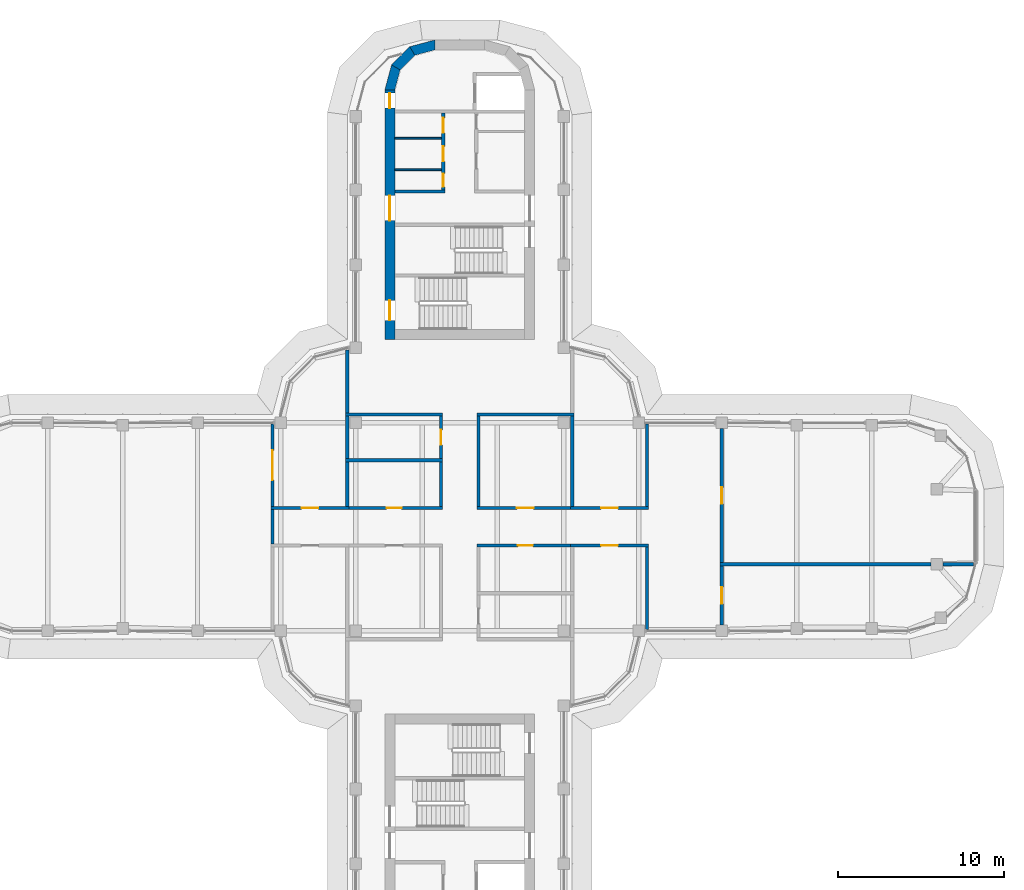
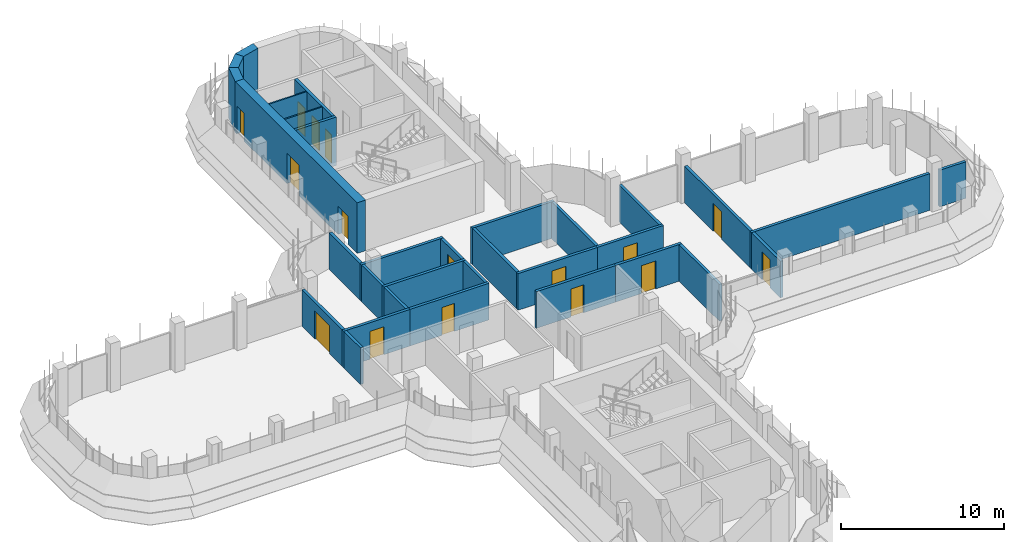
# One storey, part 14 of 19: 32 walls, 16 doors, 16 openings.
"""IFC4 building model written with IfcOpenShell, lengths in metres."""

from ifc_helpers import new_model, si_unit, direction, frame, frame_2d, origin, place, context, subcontext, project, spatial, polyline, rectangle, outline, extrude, material, layer, layer_set, type_object, element, fill, save


model = new_model("IFC4")

# Units and contexts
model_context = context("Model", 3, precision=1e-05, world=origin(), true_north=direction((0.0, 1.0)))
body_context = subcontext(model_context, "Body", "Model", "MODEL_VIEW")
ifc_project = project(units=[si_unit("LENGTHUNIT", "METRE"), si_unit("AREAUNIT", "SQUARE_METRE"), si_unit("VOLUMEUNIT", "CUBIC_METRE"), si_unit("PLANEANGLEUNIT", "RADIAN"), si_unit("MASSUNIT", "GRAM", prefix="KILO")], contexts=[model_context])

# Site, building, storey
site_placement = place(None, origin())
site = spatial("IfcSite", under=ifc_project, at=site_placement, CompositionType="ELEMENT")
building_placement = place(site_placement, origin())
building = spatial("IfcBuilding", under=site, at=building_placement, Name="Zarbagh Exchange Tower", CompositionType="ELEMENT")
storey_placement = place(building_placement, frame((0.0, 0.0, 225.800048828125)))
storey = spatial("IfcBuildingStorey", under=building, at=storey_placement, Name="L55", CompositionType="ELEMENT", Elevation=225.800048828125)

# Walls
ifc_material_1 = material(Name="Dense blockwork", Category="masonry")
ifc_layer_1 = layer(ifc_material_1, 0.10009765625)
ifc_layer_set_1 = layer_set([ifc_layer_1], Name="Core partition 100 mm blockwork")
wall_type_1 = type_object("IfcWallType", Name="Core partition 100 mm blockwork", PredefinedType="PARTITIONING", material=ifc_layer_set_1)
for number, where, z_axis, x_axis, name in (
    (1, (-3.89990234375, 23.35009765625, 0.0), (0.0, 0.0, 1.0), (1.0, 0.0, 0.0), "North core partition wall CUT-W-500"),
    (2, (-3.89990234375, 21.449951171875, 0.0), (0.0, 0.0, 1.0), (1.0, 0.0, 0.0), "North core partition wall CUT-W-690"),
):
    element("IfcWall", number, at=place(storey_placement, frame(where, z_axis=z_axis, x_axis=x_axis)), inside=storey, type_object=wall_type_1, Name=name, PredefinedType="PARTITIONING", context=body_context, shape_type="SweptSolid", body=[
        extrude(rectangle(XDim=2.7998046875, YDim=0.10009765625, at=frame_2d((1.39990234375, 0.0))), origin(), (0.0, 0.0, 1.0), 3.64990234375),
    ])

# Wall, opening, door
ifc_material_2 = material(Name="Fire-rated plasterboard partition")
ifc_layer_2 = layer(ifc_material_2, 0.199951171875)
ifc_layer_set_2 = layer_set([ifc_layer_2], Name="RATED PARTITION 200")
wall_type_2 = type_object("IfcWallType", Name="RATED PARTITION 200", PredefinedType="PARTITIONING", material=ifc_layer_set_2)
wall_1_placement = place(storey_placement, frame((1.02490234375, 1.125, 0.0), z_axis=(0.0, 0.0, 1.0), x_axis=(1.0, 0.0, 0.0)))
wall_1 = element("IfcWall", 3, at=wall_1_placement, inside=storey, type_object=wall_type_2, Name="Partition W-2401", PredefinedType="PARTITIONING", context=body_context, shape_type="SweptSolid", body=[
    extrude(rectangle(XDim=5.8251953125, YDim=0.199951171875, at=frame_2d((2.91259765625, 0.0))), origin(), (0.0, 0.0, 1.0), 2.75),
])
opening_1_placement = place(wall_1_placement, frame((2.41259765625, 0.0, 0.0)))
opening_1 = element("IfcOpeningElement", 4, at=opening_1_placement, cuts=wall_1, Name="Opening D-2403", PredefinedType="OPENING", context=body_context, shape_type="SweptSolid", body=[
    extrude(rectangle(XDim=1.0, YDim=2.10009765625, at=frame_2d((0.5, 1.050048828125))), frame((0.0, 0.10986328125, 0.0), z_axis=(0.0, -1.0, 0.0), x_axis=(1.0, 0.0, 0.0)), (0.0, 0.0, 1.0), 0.219970703125),
])
ifc_material_3 = material(Name="Steel door set", Category="steel")
door_type_1 = type_object("IfcDoorType", Name="FIRE DOOR 1000 X 2100 FD30S", OperationType="NOTDEFINED", PredefinedType="DOOR", material=ifc_material_3)
door_1_placement = place(opening_1_placement, origin())
door_1 = element("IfcDoor", 5, at=door_1_placement, inside=storey, type_object=door_type_1, Name="Door D-2403", OperationType="SINGLE_SWING_RIGHT", OverallHeight=2.10009765625, OverallWidth=1.0, PredefinedType="DOOR", context=body_context, shape_type="SweptSolid", body=[
    extrude(rectangle(XDim=1.0, YDim=2.10009765625, at=frame_2d((0.5, 1.050048828125))), frame((0.0, 0.02490234375, 0.0), z_axis=(0.0, -1.0, 0.0), x_axis=(1.0, 0.0, 0.0)), (0.0, 0.0, 1.0), 0.050048828125),
])
fill(opening_1, door_1)

wall_2_placement = place(storey_placement, frame((6.64990234375, 1.125, 0.0), z_axis=(0.0, 0.0, 1.0), x_axis=(1.0, 0.0, 0.0)))
wall_2 = element("IfcWall", 6, at=wall_2_placement, inside=storey, type_object=wall_type_2, Name="Partition W-2402", PredefinedType="PARTITIONING", context=body_context, shape_type="SweptSolid", body=[
    extrude(rectangle(XDim=4.7001953125, YDim=0.199951171875, at=frame_2d((2.35009765625, 0.0))), origin(), (0.0, 0.0, 1.0), 2.75),
])
opening_2_placement = place(wall_2_placement, frame((1.85009765625, 0.0, 0.0)))
opening_2 = element("IfcOpeningElement", 7, at=opening_2_placement, cuts=wall_2, Name="Opening D-2404", PredefinedType="OPENING", context=body_context, shape_type="SweptSolid", body=[
    extrude(rectangle(XDim=1.0, YDim=2.10009765625, at=frame_2d((0.5, 1.050048828125))), frame((0.0, 0.10986328125, 0.0), z_axis=(0.0, -1.0, 0.0), x_axis=(1.0, 0.0, 0.0)), (0.0, 0.0, 1.0), 0.219970703125),
])
door_2_placement = place(opening_2_placement, origin())
door_2 = element("IfcDoor", 8, at=door_2_placement, inside=storey, type_object=door_type_1, Name="Door D-2404", OperationType="SINGLE_SWING_RIGHT", OverallHeight=2.10009765625, OverallWidth=1.0, PredefinedType="DOOR", context=body_context, shape_type="SweptSolid", body=[
    extrude(rectangle(XDim=1.0, YDim=2.10009765625, at=frame_2d((0.5, 1.050048828125))), frame((0.0, 0.02490234375, 0.0), z_axis=(0.0, -1.0, 0.0), x_axis=(1.0, 0.0, 0.0)), (0.0, 0.0, 1.0), 0.050048828125),
])
fill(opening_2, door_2)

wall_3_placement = place(storey_placement, frame((-6.85009765625, 1.125, 0.0), z_axis=(0.0, 0.0, 1.0), x_axis=(1.0, 0.0, 0.0)))
wall_3 = element("IfcWall", 9, at=wall_3_placement, inside=storey, type_object=wall_type_2, Name="Partition W-2403", PredefinedType="PARTITIONING", context=body_context, shape_type="SweptSolid", body=[
    extrude(rectangle(XDim=5.8251953125, YDim=0.199951171875, at=frame_2d((2.91259765625, 0.0))), origin(), (0.0, 0.0, 1.0), 2.75),
])
opening_3_placement = place(wall_3_placement, frame((2.46240234375, 0.0, 0.0)))
opening_3 = element("IfcOpeningElement", 10, at=opening_3_placement, cuts=wall_3, Name="Opening D-2405", PredefinedType="OPENING", context=body_context, shape_type="SweptSolid", body=[
    extrude(rectangle(XDim=0.89990234375, YDim=2.10009765625, at=frame_2d((0.449951171875, 1.050048828125))), frame((0.0, 0.10986328125, 0.0), z_axis=(0.0, -1.0, 0.0), x_axis=(1.0, 0.0, 0.0)), (0.0, 0.0, 1.0), 0.219970703125),
])
ifc_material_4 = material(Name="Timber door leaf", Category="wood")
door_type_2 = type_object("IfcDoorType", Name="DOOR 900 X 2100", OperationType="NOTDEFINED", PredefinedType="DOOR", material=ifc_material_4)
door_3_placement = place(opening_3_placement, origin())
door_3 = element("IfcDoor", 11, at=door_3_placement, inside=storey, type_object=door_type_2, Name="Door D-2405", OperationType="SINGLE_SWING_RIGHT", OverallHeight=2.10009765625, OverallWidth=0.89990234375, PredefinedType="DOOR", context=body_context, shape_type="SweptSolid", body=[
    extrude(rectangle(XDim=0.89990234375, YDim=2.10009765625, at=frame_2d((0.449951171875, 1.050048828125))), frame((0.0, 0.02490234375, 0.0), z_axis=(0.0, -1.0, 0.0), x_axis=(1.0, 0.0, 0.0)), (0.0, 0.0, 1.0), 0.050048828125),
])
fill(opening_3, door_3)

wall_4_placement = place(storey_placement, frame((-11.35009765625, 1.125, 0.0), z_axis=(0.0, 0.0, 1.0), x_axis=(1.0, 0.0, 0.0)))
wall_4 = element("IfcWall", 12, at=wall_4_placement, inside=storey, type_object=wall_type_2, Name="Partition W-2404", PredefinedType="PARTITIONING", context=body_context, shape_type="SweptSolid", body=[
    extrude(rectangle(XDim=4.7001953125, YDim=0.199951171875, at=frame_2d((2.35009765625, 0.0))), origin(), (0.0, 0.0, 1.0), 2.75),
])
opening_4_placement = place(wall_4_placement, frame((1.85009765625, 0.0, 0.0)))
opening_4 = element("IfcOpeningElement", 13, at=opening_4_placement, cuts=wall_4, Name="Opening D-2407", PredefinedType="OPENING", context=body_context, shape_type="SweptSolid", body=[
    extrude(rectangle(XDim=1.0, YDim=2.10009765625, at=frame_2d((0.5, 1.050048828125))), frame((0.0, 0.10986328125, 0.0), z_axis=(0.0, -1.0, 0.0), x_axis=(1.0, 0.0, 0.0)), (0.0, 0.0, 1.0), 0.219970703125),
])
door_4_placement = place(opening_4_placement, origin())
door_4 = element("IfcDoor", 14, at=door_4_placement, inside=storey, type_object=door_type_1, Name="Door D-2407", OperationType="SINGLE_SWING_RIGHT", OverallHeight=2.10009765625, OverallWidth=1.0, PredefinedType="DOOR", context=body_context, shape_type="SweptSolid", body=[
    extrude(rectangle(XDim=1.0, YDim=2.10009765625, at=frame_2d((0.5, 1.050048828125))), frame((0.0, 0.02490234375, 0.0), z_axis=(0.0, -1.0, 0.0), x_axis=(1.0, 0.0, 0.0)), (0.0, 0.0, 1.0), 0.050048828125),
])
fill(opening_4, door_4)

wall_5_placement = place(storey_placement, frame((6.85009765625, -1.125, 0.0), z_axis=(0.0, 0.0, 1.0), x_axis=(-1.0, 0.0, 0.0)))
wall_5 = element("IfcWall", 15, at=wall_5_placement, inside=storey, type_object=wall_type_2, Name="Partition W-2405", PredefinedType="PARTITIONING", context=body_context, shape_type="SweptSolid", body=[
    extrude(rectangle(XDim=5.8251953125, YDim=0.199951171875, at=frame_2d((2.91259765625, 0.0))), origin(), (0.0, 0.0, 1.0), 2.75),
])
opening_5_placement = place(wall_5_placement, frame((2.46240234375, 0.0, 0.0)))
opening_5 = element("IfcOpeningElement", 16, at=opening_5_placement, cuts=wall_5, Name="Opening D-2408", PredefinedType="OPENING", context=body_context, shape_type="SweptSolid", body=[
    extrude(rectangle(XDim=0.89990234375, YDim=2.10009765625, at=frame_2d((0.449951171875, 1.050048828125))), frame((0.0, 0.10986328125, 0.0), z_axis=(0.0, -1.0, 0.0), x_axis=(1.0, 0.0, 0.0)), (0.0, 0.0, 1.0), 0.219970703125),
])
door_5_placement = place(opening_5_placement, origin())
door_5 = element("IfcDoor", 17, at=door_5_placement, inside=storey, type_object=door_type_2, Name="Door D-2408", OperationType="SINGLE_SWING_RIGHT", OverallHeight=2.10009765625, OverallWidth=0.89990234375, PredefinedType="DOOR", context=body_context, shape_type="SweptSolid", body=[
    extrude(rectangle(XDim=0.89990234375, YDim=2.10009765625, at=frame_2d((0.449951171875, 1.050048828125))), frame((0.0, 0.02490234375, 0.0), z_axis=(0.0, -1.0, 0.0), x_axis=(1.0, 0.0, 0.0)), (0.0, 0.0, 1.0), 0.050048828125),
])
fill(opening_5, door_5)

wall_6_placement = place(storey_placement, frame((11.35009765625, -1.125, 0.0), z_axis=(0.0, 0.0, 1.0), x_axis=(-1.0, 0.0, 0.0)))
wall_6 = element("IfcWall", 18, at=wall_6_placement, inside=storey, type_object=wall_type_2, Name="Partition W-2406", PredefinedType="PARTITIONING", context=body_context, shape_type="SweptSolid", body=[
    extrude(rectangle(XDim=4.7001953125, YDim=0.199951171875, at=frame_2d((2.35009765625, 0.0))), origin(), (0.0, 0.0, 1.0), 2.75),
])
opening_6_placement = place(wall_6_placement, frame((1.85009765625, 0.0, 0.0)))
opening_6 = element("IfcOpeningElement", 19, at=opening_6_placement, cuts=wall_6, Name="Opening D-2410", PredefinedType="OPENING", context=body_context, shape_type="SweptSolid", body=[
    extrude(rectangle(XDim=1.0, YDim=2.10009765625, at=frame_2d((0.5, 1.050048828125))), frame((0.0, 0.10986328125, 0.0), z_axis=(0.0, -1.0, 0.0), x_axis=(1.0, 0.0, 0.0)), (0.0, 0.0, 1.0), 0.219970703125),
])
door_6_placement = place(opening_6_placement, origin())
door_6 = element("IfcDoor", 20, at=door_6_placement, inside=storey, type_object=door_type_1, Name="Door D-2410", OperationType="SINGLE_SWING_RIGHT", OverallHeight=2.10009765625, OverallWidth=1.0, PredefinedType="DOOR", context=body_context, shape_type="SweptSolid", body=[
    extrude(rectangle(XDim=1.0, YDim=2.10009765625, at=frame_2d((0.5, 1.050048828125))), frame((0.0, 0.02490234375, 0.0), z_axis=(0.0, -1.0, 0.0), x_axis=(1.0, 0.0, 0.0)), (0.0, 0.0, 1.0), 0.050048828125),
])
fill(opening_6, door_6)

# Walls
wall_7_placement = place(storey_placement, frame((-11.25, -1.02490234375, 0.0), z_axis=(0.0, 0.0, 1.0), x_axis=(0.0, 1.0, 0.0)))
element("IfcWall", 21, at=wall_7_placement, inside=storey, type_object=wall_type_2, Name="Partition W-2409", PredefinedType="PARTITIONING", context=body_context, shape_type="SweptSolid", body=[
    extrude(rectangle(XDim=2.0498046875, YDim=0.199951171875, at=frame_2d((1.02490234375, 0.0))), origin(), (0.0, 0.0, 1.0), 2.75),
])
wall_8_placement = place(storey_placement, frame((1.125, 1.22509765625, 0.0), z_axis=(0.0, 0.0, 1.0), x_axis=(0.0, 1.0, 0.0)))
element("IfcWall", 22, at=wall_8_placement, inside=storey, type_object=wall_type_2, Name="Partition W-2410", PredefinedType="PARTITIONING", context=body_context, shape_type="SweptSolid", body=[
    extrude(rectangle(XDim=5.4248046875, YDim=0.199951171875, at=frame_2d((2.71240234375, 0.0))), origin(), (0.0, 0.0, 1.0), 2.75),
])
wall_9_placement = place(storey_placement, frame((-1.125, 1.22509765625, 0.0), z_axis=(0.0, 0.0, 1.0), x_axis=(0.0, 1.0, 0.0)))
element("IfcWall", 23, at=wall_9_placement, inside=storey, type_object=wall_type_2, Name="Partition W-2411", PredefinedType="PARTITIONING", context=body_context, shape_type="SweptSolid", body=[
    extrude(rectangle(XDim=2.6748046875, YDim=0.199951171875, at=frame_2d((1.33740234375, 0.0))), origin(), (0.0, 0.0, 1.0), 2.75),
])

# Wall, opening, door
wall_10_placement = place(storey_placement, frame((-1.125, 4.10009765625, 0.0), z_axis=(0.0, 0.0, 1.0), x_axis=(0.0, 1.0, 0.0)))
wall_10 = element("IfcWall", 24, at=wall_10_placement, inside=storey, type_object=wall_type_2, Name="Partition W-2412", PredefinedType="PARTITIONING", context=body_context, shape_type="SweptSolid", body=[
    extrude(rectangle(XDim=2.5498046875, YDim=0.199951171875, at=frame_2d((1.27490234375, 0.0))), origin(), (0.0, 0.0, 1.0), 2.75),
])
opening_7_placement = place(wall_10_placement, frame((0.824951171875, 0.0, 0.0)))
opening_7 = element("IfcOpeningElement", 25, at=opening_7_placement, cuts=wall_10, Name="Opening D-2406", PredefinedType="OPENING", context=body_context, shape_type="SweptSolid", body=[
    extrude(rectangle(XDim=0.89990234375, YDim=2.10009765625, at=frame_2d((0.449951171875, 1.050048828125))), frame((0.0, 0.10986328125, 0.0), z_axis=(0.0, -1.0, 0.0), x_axis=(1.0, 0.0, 0.0)), (0.0, 0.0, 1.0), 0.219970703125),
])
door_7_placement = place(opening_7_placement, origin())
door_7 = element("IfcDoor", 26, at=door_7_placement, inside=storey, type_object=door_type_2, Name="Door D-2406", OperationType="SINGLE_SWING_RIGHT", OverallHeight=2.10009765625, OverallWidth=0.89990234375, PredefinedType="DOOR", context=body_context, shape_type="SweptSolid", body=[
    extrude(rectangle(XDim=0.89990234375, YDim=2.10009765625, at=frame_2d((0.449951171875, 1.050048828125))), frame((0.0, 0.02490234375, 0.0), z_axis=(0.0, -1.0, 0.0), x_axis=(1.0, 0.0, 0.0)), (0.0, 0.0, 1.0), 0.050048828125),
])
fill(opening_7, door_7)

# Walls
for number, where, z_axis, x_axis, name in (
    (27, (1.02490234375, 6.75, 0.0), (0.0, 0.0, 1.0), (1.0, 0.0, 0.0), "Partition W-2416"),
    (28, (-6.85009765625, 6.75, 0.0), (0.0, 0.0, 1.0), (1.0, 0.0, 0.0), "Partition W-2418"),
):
    element("IfcWall", number, at=place(storey_placement, frame(where, z_axis=z_axis, x_axis=x_axis)), inside=storey, type_object=wall_type_2, Name=name, PredefinedType="PARTITIONING", context=body_context, shape_type="SweptSolid", body=[
        extrude(rectangle(XDim=5.8251953125, YDim=0.199951171875, at=frame_2d((2.91259765625, 0.0))), origin(), (0.0, 0.0, 1.0), 2.75),
    ])
wall_11_placement = place(storey_placement, frame((-6.75, 6.85009765625, 0.0), z_axis=(0.0, 0.0, 1.0), x_axis=(0.0, 1.0, 0.0)))
element("IfcWall", 29, at=wall_11_placement, inside=storey, type_object=wall_type_2, Name="Partition W-2419", PredefinedType="PARTITIONING", context=body_context, shape_type="SweptSolid", body=[
    extrude(rectangle(XDim=3.77978515625, YDim=0.199951171875, at=frame_2d((1.889892578125, 0.0))), origin(), (0.0, 0.0, 1.0), 2.75),
])
wall_12_placement = place(storey_placement, frame((6.75, 1.22509765625, 0.0), z_axis=(0.0, 0.0, 1.0), x_axis=(0.0, 1.0, 0.0)))
element("IfcWall", 30, at=wall_12_placement, inside=storey, type_object=wall_type_2, Name="Partition W-2424", PredefinedType="PARTITIONING", context=body_context, shape_type="SweptSolid", body=[
    extrude(rectangle(XDim=5.4248046875, YDim=0.199951171875, at=frame_2d((2.71240234375, 0.0))), origin(), (0.0, 0.0, 1.0), 2.75),
])
wall_13_placement = place(storey_placement, frame((11.25, 1.22509765625, 0.0), z_axis=(0.0, 0.0, 1.0), x_axis=(0.0, 1.0, 0.0)))
element("IfcWall", 31, at=wall_13_placement, inside=storey, type_object=wall_type_2, Name="Partition W-2425", PredefinedType="PARTITIONING", context=body_context, shape_type="SweptSolid", body=[
    extrude(rectangle(XDim=4.94482421875, YDim=0.199951171875, at=frame_2d((2.472412109375, 0.0))), origin(), (0.0, 0.0, 1.0), 2.75),
])
wall_14_placement = place(storey_placement, frame((-6.85009765625, 4.0, 0.0), z_axis=(0.0, 0.0, 1.0), x_axis=(1.0, 0.0, 0.0)))
element("IfcWall", 32, at=wall_14_placement, inside=storey, type_object=wall_type_2, Name="Partition W-2426", PredefinedType="PARTITIONING", context=body_context, shape_type="SweptSolid", body=[
    extrude(rectangle(XDim=5.8251953125, YDim=0.199951171875, at=frame_2d((2.91259765625, 0.0))), origin(), (0.0, 0.0, 1.0), 2.75),
])
wall_15_placement = place(storey_placement, frame((-6.75, 1.22509765625, 0.0), z_axis=(0.0, 0.0, 1.0), x_axis=(0.0, 1.0, 0.0)))
element("IfcWall", 33, at=wall_15_placement, inside=storey, type_object=wall_type_2, Name="Partition W-2427", PredefinedType="PARTITIONING", context=body_context, shape_type="SweptSolid", body=[
    extrude(rectangle(XDim=2.6748046875, YDim=0.199951171875, at=frame_2d((1.33740234375, 0.0))), origin(), (0.0, 0.0, 1.0), 2.75),
])
wall_16_placement = place(storey_placement, frame((-6.75, 4.10009765625, 0.0), z_axis=(0.0, 0.0, 1.0), x_axis=(0.0, 1.0, 0.0)))
element("IfcWall", 34, at=wall_16_placement, inside=storey, type_object=wall_type_2, Name="Partition W-2428", PredefinedType="PARTITIONING", context=body_context, shape_type="SweptSolid", body=[
    extrude(rectangle(XDim=2.5498046875, YDim=0.199951171875, at=frame_2d((1.27490234375, 0.0))), origin(), (0.0, 0.0, 1.0), 2.75),
])

# Wall, opening, door
wall_17_placement = place(storey_placement, frame((-11.25, 1.22509765625, 0.0), z_axis=(0.0, 0.0, 1.0), x_axis=(0.0, 1.0, 0.0)))
wall_17 = element("IfcWall", 35, at=wall_17_placement, inside=storey, type_object=wall_type_2, Name="Partition W-2429", PredefinedType="PARTITIONING", context=body_context, shape_type="SweptSolid", body=[
    extrude(rectangle(XDim=4.94482421875, YDim=0.199951171875, at=frame_2d((2.472412109375, 0.0))), origin(), (0.0, 0.0, 1.0), 2.75),
])
opening_8_placement = place(wall_17_placement, frame((1.572509765625, 0.0, 0.0)))
opening_8 = element("IfcOpeningElement", 36, at=opening_8_placement, cuts=wall_17, Name="Opening D-2413", PredefinedType="OPENING", context=body_context, shape_type="SweptSolid", body=[
    extrude(rectangle(XDim=1.800048828125, YDim=2.10009765625, at=frame_2d((0.89990234375, 1.050048828125))), frame((0.0, 0.10986328125, 0.0), z_axis=(0.0, -1.0, 0.0), x_axis=(1.0, 0.0, 0.0)), (0.0, 0.0, 1.0), 0.219970703125),
])
door_type_3 = type_object("IfcDoorType", Name="FIRE DOUBLE DOOR 1800 X 2100 FD30S", OperationType="DOUBLE_DOOR_SINGLE_SWING", PredefinedType="DOOR", material=ifc_material_3)
door_8_placement = place(opening_8_placement, origin())
door_8 = element("IfcDoor", 37, at=door_8_placement, inside=storey, type_object=door_type_3, Name="Door D-2413", OperationType="DOUBLE_DOOR_SINGLE_SWING", OverallHeight=2.10009765625, OverallWidth=1.800048828125, PredefinedType="DOOR", context=body_context, shape_type="SweptSolid", body=[
    extrude(rectangle(XDim=1.800048828125, YDim=2.10009765625, at=frame_2d((0.89990234375, 1.050048828125))), frame((0.0, 0.02490234375, 0.0), z_axis=(0.0, -1.0, 0.0), x_axis=(1.0, 0.0, 0.0)), (0.0, 0.0, 1.0), 0.050048828125),
])
fill(opening_8, door_8)

# Wall
wall_18_placement = place(storey_placement, frame((11.25, -6.169921875, 0.0), z_axis=(0.0, 0.0, 1.0), x_axis=(0.0, 1.0, 0.0)))
element("IfcWall", 38, at=wall_18_placement, inside=storey, type_object=wall_type_2, Name="Partition W-2433", PredefinedType="PARTITIONING", context=body_context, shape_type="SweptSolid", body=[
    extrude(rectangle(XDim=4.94482421875, YDim=0.199951171875, at=frame_2d((2.472412109375, 0.0))), origin(), (0.0, 0.0, 1.0), 2.75),
])

# Wall, opening, door
wall_19_placement = place(storey_placement, frame((15.75, -2.35009765625, 0.0), z_axis=(0.0, 0.0, 1.0), x_axis=(0.0, -1.0, 0.0)))
wall_19 = element("IfcWall", 39, at=wall_19_placement, inside=storey, type_object=wall_type_2, Name="Partition W-2436", PredefinedType="PARTITIONING", context=body_context, shape_type="SweptSolid", body=[
    extrude(rectangle(XDim=3.5498046875, YDim=0.199951171875, at=frame_2d((1.77490234375, 0.0))), origin(), (0.0, 0.0, 1.0), 2.75),
])
opening_9_placement = place(wall_19_placement, frame((1.27490234375, 0.0, 0.0)))
opening_9 = element("IfcOpeningElement", 40, at=opening_9_placement, cuts=wall_19, Name="Opening D-2401", PredefinedType="OPENING", context=body_context, shape_type="SweptSolid", body=[
    extrude(rectangle(XDim=1.0, YDim=2.10009765625, at=frame_2d((0.5, 1.050048828125))), frame((0.0, 0.10986328125, 0.0), z_axis=(0.0, -1.0, 0.0), x_axis=(1.0, 0.0, 0.0)), (0.0, 0.0, 1.0), 0.219970703125),
])
door_9_placement = place(opening_9_placement, origin())
door_9 = element("IfcDoor", 41, at=door_9_placement, inside=storey, type_object=door_type_1, Name="Door D-2401", OperationType="SINGLE_SWING_LEFT", OverallHeight=2.10009765625, OverallWidth=1.0, PredefinedType="DOOR", context=body_context, shape_type="SweptSolid", body=[
    extrude(rectangle(XDim=1.0, YDim=2.10009765625, at=frame_2d((0.5, 1.050048828125))), frame((0.0, 0.02490234375, 0.0), z_axis=(0.0, -1.0, 0.0), x_axis=(1.0, 0.0, 0.0)), (0.0, 0.0, 1.0), 0.050048828125),
])
fill(opening_9, door_9)

wall_20_placement = place(storey_placement, frame((15.75, 5.89990234375, 0.0), z_axis=(0.0, 0.0, 1.0), x_axis=(0.0, -1.0, 0.0)))
wall_20 = element("IfcWall", 42, at=wall_20_placement, inside=storey, type_object=wall_type_2, Name="Partition W-2437", PredefinedType="PARTITIONING", context=body_context, shape_type="SweptSolid", body=[
    extrude(rectangle(XDim=8.0498046875, YDim=0.199951171875, at=frame_2d((4.02490234375, 0.0))), origin(), (0.0, 0.0, 1.0), 2.75),
])
opening_10_placement = place(wall_20_placement, frame((3.52490234375, 0.0, 0.0)))
opening_10 = element("IfcOpeningElement", 43, at=opening_10_placement, cuts=wall_20, Name="Opening D-2402", PredefinedType="OPENING", context=body_context, shape_type="SweptSolid", body=[
    extrude(rectangle(XDim=1.0, YDim=2.10009765625, at=frame_2d((0.5, 1.050048828125))), frame((0.0, 0.10986328125, 0.0), z_axis=(0.0, -1.0, 0.0), x_axis=(1.0, 0.0, 0.0)), (0.0, 0.0, 1.0), 0.219970703125),
])
door_10_placement = place(opening_10_placement, origin())
door_10 = element("IfcDoor", 44, at=door_10_placement, inside=storey, type_object=door_type_1, Name="Door D-2402", OperationType="SINGLE_SWING_RIGHT", OverallHeight=2.10009765625, OverallWidth=1.0, PredefinedType="DOOR", context=body_context, shape_type="SweptSolid", body=[
    extrude(rectangle(XDim=1.0, YDim=2.10009765625, at=frame_2d((0.5, 1.050048828125))), frame((0.0, 0.02490234375, 0.0), z_axis=(0.0, -1.0, 0.0), x_axis=(1.0, 0.0, 0.0)), (0.0, 0.0, 1.0), 0.050048828125),
])
fill(opening_10, door_10)

# Walls
wall_21_placement = place(storey_placement, frame((15.64990234375, -2.25, 0.0), z_axis=(0.0, 0.0, 1.0), x_axis=(1.0, 0.0, 0.0)))
element("IfcWall", 45, at=wall_21_placement, inside=storey, type_object=wall_type_2, Name="Partition W-2438", PredefinedType="PARTITIONING", context=body_context, shape_type="SweptSolid", body=[
    extrude(rectangle(XDim=12.670166015625, YDim=0.199951171875, at=frame_2d((6.3349609375, 0.0))), origin(), (0.0, 0.0, 1.0), 2.75),
])
wall_22_placement = place(storey_placement, frame((29.02001953125, -2.25, 0.0), z_axis=(0.0, 0.0, 1.0), x_axis=(1.0, 0.0, 0.0)))
element("IfcWall", 46, at=wall_22_placement, inside=storey, type_object=wall_type_2, Name="Partition W-2439", PredefinedType="PARTITIONING", context=body_context, shape_type="SweptSolid", body=[
    extrude(rectangle(XDim=1.85986328125, YDim=0.199951171875, at=frame_2d((0.929931640625, 0.0))), origin(), (0.0, 0.0, 1.0), 2.75),
])
ifc_material_5 = material(Name="Concrete C50/60", Category="concrete")
ifc_layer_3 = layer(ifc_material_5, 0.60009765625)
ifc_layer_set_3 = layer_set([ifc_layer_3], Name="RC core corner wall 600 C50/60")
wall_type_3 = type_object("IfcWallType", Name="RC core corner wall 600 C50/60", PredefinedType="SHEAR", material=ifc_layer_set_3)
wall_23_placement = place(storey_placement, origin())
element("IfcWall", 47, at=wall_23_placement, inside=storey, type_object=wall_type_3, Name="CW8 core N corner W", PredefinedType="SHEAR", context=body_context, shape_type="SweptSolid", body=[
    extrude(outline(polyline([(-4.5, 26.25), (-4.09814453125, 27.75), (-3.57861328125, 27.449951171875), (-3.89990234375, 26.25), (-4.5, 26.25)])), origin(), (0.0, 0.0, 1.0), 3.800048828125),
])
wall_24_placement = place(storey_placement, origin())
element("IfcWall", 48, at=wall_24_placement, inside=storey, type_object=wall_type_3, Name="CW8 core N corner W", PredefinedType="SHEAR", context=body_context, shape_type="SweptSolid", body=[
    extrude(outline(polyline([(-4.09814453125, 27.75), (-3.0, 28.84814453125), (-2.699951171875, 28.32861328125), (-3.57861328125, 27.449951171875), (-4.09814453125, 27.75)])), origin(), (0.0, 0.0, 1.0), 3.800048828125),
])
wall_25_placement = place(storey_placement, origin())
element("IfcWall", 49, at=wall_25_placement, inside=storey, type_object=wall_type_3, Name="CW8 core N corner W", PredefinedType="SHEAR", context=body_context, shape_type="SweptSolid", body=[
    extrude(outline(polyline([(-3.0, 28.84814453125), (-1.5, 29.25), (-1.5, 28.64990234375), (-2.699951171875, 28.32861328125), (-3.0, 28.84814453125)])), origin(), (0.0, 0.0, 1.0), 3.800048828125),
])

# Wall, openings, doors
ifc_layer_4 = layer(ifc_material_5, 0.60009765625)
ifc_layer_set_4 = layer_set([ifc_layer_4], Name="RC core wall 600 C50/60")
wall_type_4 = type_object("IfcWallType", Name="RC core wall 600 C50/60", PredefinedType="SHEAR", material=ifc_layer_set_4)
wall_26_placement = place(storey_placement, frame((-4.199951171875, 11.25, 0.0), z_axis=(0.0, 0.0, 1.0), x_axis=(0.0, 1.0, 0.0)))
wall_26 = element("IfcWall", 50, at=wall_26_placement, inside=storey, type_object=wall_type_4, Name="CW7 core N W", PredefinedType="SHEAR", context=body_context, shape_type="SweptSolid", body=[
    extrude(rectangle(XDim=15.0, YDim=0.60009765625, at=frame_2d((7.5, 0.0))), origin(), (0.0, 0.0, 1.0), 3.800048828125),
])
opening_11_placement = place(wall_26_placement, frame((7.14990234375, 0.0, 0.0)))
opening_11 = element("IfcOpeningElement", 51, at=opening_11_placement, cuts=wall_26, Name="Opening CD1-1500", PredefinedType="OPENING", context=body_context, shape_type="SweptSolid", body=[
    extrude(rectangle(XDim=1.5, YDim=2.300048828125, at=frame_2d((0.75, 1.14990234375))), frame((0.0, 0.31005859375, 0.0), z_axis=(0.0, -1.0, 0.0), x_axis=(1.0, 0.0, 0.0)), (0.0, 0.0, 1.0), 0.6201171875),
])
opening_12_placement = place(wall_26_placement, frame((13.89990234375, 0.0, 0.0)))
opening_12 = element("IfcOpeningElement", 52, at=opening_12_placement, cuts=wall_26, Name="Opening CD2-900", PredefinedType="OPENING", context=body_context, shape_type="SweptSolid", body=[
    extrude(rectangle(XDim=0.89990234375, YDim=2.10009765625, at=frame_2d((0.449951171875, 1.050048828125))), frame((0.0, 0.31005859375, 0.0), z_axis=(0.0, -1.0, 0.0), x_axis=(1.0, 0.0, 0.0)), (0.0, 0.0, 1.0), 0.6201171875),
])
opening_13_placement = place(wall_26_placement, frame((1.14990234375, 0.0, 0.0)))
opening_13 = element("IfcOpeningElement", 53, at=opening_13_placement, cuts=wall_26, Name="Opening SD1-1200", PredefinedType="OPENING", context=body_context, shape_type="SweptSolid", body=[
    extrude(rectangle(XDim=1.199951171875, YDim=2.10009765625, at=frame_2d((0.60009765625, 1.050048828125))), frame((0.0, 0.31005859375, 0.0), z_axis=(0.0, -1.0, 0.0), x_axis=(1.0, 0.0, 0.0)), (0.0, 0.0, 1.0), 0.6201171875),
])
ifc_material_6 = material(Name="Steel", Category="steel")
door_type_4 = type_object("IfcDoorType", Name="Exit stair door 1200 x 2100", OperationType="NOTDEFINED", PredefinedType="DOOR", material=ifc_material_6)
door_11_placement = place(opening_13_placement, origin())
door_11 = element("IfcDoor", 54, at=door_11_placement, inside=storey, type_object=door_type_4, Name="North core stair door ST2", OperationType="SINGLE_SWING_LEFT", OverallHeight=2.10009765625, OverallWidth=1.199951171875, PredefinedType="DOOR", context=body_context, shape_type="SweptSolid", body=[
    extrude(rectangle(XDim=1.199951171875, YDim=2.10009765625, at=frame_2d((0.60009765625, 1.050048828125))), frame((0.0, 0.02490234375, 0.0), z_axis=(0.0, -1.0, 0.0), x_axis=(1.0, 0.0, 0.0)), (0.0, 0.0, 1.0), 0.050048828125),
])
fill(opening_13, door_11)
door_type_5 = type_object("IfcDoorType", Name="Firefighting lobby door 900 x 2100", OperationType="NOTDEFINED", PredefinedType="DOOR", material=ifc_material_6)
door_12_placement = place(opening_12_placement, origin())
door_12 = element("IfcDoor", 55, at=door_12_placement, inside=storey, type_object=door_type_5, Name="North core firefighting lobby door FF-W", OperationType="SINGLE_SWING_LEFT", OverallHeight=2.10009765625, OverallWidth=0.89990234375, PredefinedType="DOOR", context=body_context, shape_type="SweptSolid", body=[
    extrude(rectangle(XDim=0.89990234375, YDim=2.10009765625, at=frame_2d((0.449951171875, 1.050048828125))), frame((0.0, 0.02490234375, 0.0), z_axis=(0.0, -1.0, 0.0), x_axis=(1.0, 0.0, 0.0)), (0.0, 0.0, 1.0), 0.050048828125),
])
fill(opening_12, door_12)
door_type_6 = type_object("IfcDoorType", Name="Lift lobby double door 1500 x 2300", OperationType="NOTDEFINED", PredefinedType="DOOR", material=ifc_material_6)
door_13_placement = place(opening_11_placement, origin())
door_13 = element("IfcDoor", 56, at=door_13_placement, inside=storey, type_object=door_type_6, Name="North core lift lobby door LOBBY-W", OperationType="DOUBLE_DOOR_SINGLE_SWING", OverallHeight=2.300048828125, OverallWidth=1.5, PredefinedType="DOOR", context=body_context, shape_type="SweptSolid", body=[
    extrude(rectangle(XDim=1.5, YDim=2.300048828125, at=frame_2d((0.75, 1.14990234375))), frame((0.0, 0.02490234375, 0.0), z_axis=(0.0, -1.0, 0.0), x_axis=(1.0, 0.0, 0.0)), (0.0, 0.0, 1.0), 0.050048828125),
])
fill(opening_11, door_13)

# Wall
ifc_layer_5 = layer(ifc_material_1, 0.199951171875)
ifc_layer_set_5 = layer_set([ifc_layer_5], Name="Shaft wall 200 mm blockwork")
wall_type_5 = type_object("IfcWallType", Name="Shaft wall 200 mm blockwork", PredefinedType="PARTITIONING", material=ifc_layer_set_5)
wall_27_placement = place(storey_placement, frame((-3.89990234375, 20.14990234375, 0.0), z_axis=(0.0, 0.0, 1.0), x_axis=(1.0, 0.0, 0.0)))
element("IfcWall", 57, at=wall_27_placement, inside=storey, type_object=wall_type_5, Name="North core shaft wall AB-W", PredefinedType="PARTITIONING", context=body_context, shape_type="SweptSolid", body=[
    extrude(rectangle(XDim=3.0, YDim=0.199951171875, at=frame_2d((1.5, 0.0))), origin(), (0.0, 0.0, 1.0), 3.64990234375),
])

# Wall, openings, doors
wall_28_placement = place(storey_placement, frame((-1.0, 24.85009765625, 0.0), z_axis=(0.0, 0.0, 1.0), x_axis=(0.0, -1.0, 0.0)))
wall_28 = element("IfcWall", 58, at=wall_28_placement, inside=storey, type_object=wall_type_5, Name="North core shaft wall LW-W", PredefinedType="PARTITIONING", context=body_context, shape_type="SweptSolid", body=[
    extrude(rectangle(XDim=4.60009765625, YDim=0.199951171875, at=frame_2d((2.300048828125, 0.0))), origin(), (0.0, 0.0, 1.0), 3.64990234375),
])
opening_14_placement = place(wall_28_placement, frame((0.27490234375, 0.0, 0.0)))
opening_14 = element("IfcOpeningElement", 59, at=opening_14_placement, cuts=wall_28, Name="Opening CD3-900", PredefinedType="OPENING", context=body_context, shape_type="SweptSolid", body=[
    extrude(rectangle(XDim=0.89990234375, YDim=2.10009765625, at=frame_2d((0.449951171875, 1.050048828125))), frame((0.0, 0.10986328125, 0.0), z_axis=(0.0, -1.0, 0.0), x_axis=(1.0, 0.0, 0.0)), (0.0, 0.0, 1.0), 0.219970703125),
])
opening_15_placement = place(wall_28_placement, frame((2.0, 0.0, 0.0)))
opening_15 = element("IfcOpeningElement", 60, at=opening_15_placement, cuts=wall_28, Name="Opening CD3-900", PredefinedType="OPENING", context=body_context, shape_type="SweptSolid", body=[
    extrude(rectangle(XDim=0.89990234375, YDim=2.10009765625, at=frame_2d((0.449951171875, 1.050048828125))), frame((0.0, 0.10986328125, 0.0), z_axis=(0.0, -1.0, 0.0), x_axis=(1.0, 0.0, 0.0)), (0.0, 0.0, 1.0), 0.219970703125),
])
opening_16_placement = place(wall_28_placement, frame((3.625, 0.0, 0.0)))
opening_16 = element("IfcOpeningElement", 61, at=opening_16_placement, cuts=wall_28, Name="Opening CD3-800", PredefinedType="OPENING", context=body_context, shape_type="SweptSolid", body=[
    extrude(rectangle(XDim=0.800048828125, YDim=2.10009765625, at=frame_2d((0.39990234375, 1.050048828125))), frame((0.0, 0.10986328125, 0.0), z_axis=(0.0, -1.0, 0.0), x_axis=(1.0, 0.0, 0.0)), (0.0, 0.0, 1.0), 0.219970703125),
])
door_type_7 = type_object("IfcDoorType", Name="Core room door 800 x 2100", OperationType="NOTDEFINED", PredefinedType="DOOR", material=ifc_material_6)
door_14_placement = place(opening_16_placement, origin())
door_14 = element("IfcDoor", 62, at=door_14_placement, inside=storey, type_object=door_type_7, Name="North core IT room door RD-W-2", OperationType="SINGLE_SWING_RIGHT", OverallHeight=2.10009765625, OverallWidth=0.800048828125, PredefinedType="DOOR", context=body_context, shape_type="SweptSolid", body=[
    extrude(rectangle(XDim=0.800048828125, YDim=2.10009765625, at=frame_2d((0.39990234375, 1.050048828125))), frame((0.0, 0.02490234375, 0.0), z_axis=(0.0, -1.0, 0.0), x_axis=(1.0, 0.0, 0.0)), (0.0, 0.0, 1.0), 0.050048828125),
])
fill(opening_16, door_14)
door_type_8 = type_object("IfcDoorType", Name="Core room door 900 x 2100", OperationType="NOTDEFINED", PredefinedType="DOOR", material=ifc_material_6)
door_15_placement = place(opening_14_placement, origin())
door_15 = element("IfcDoor", 63, at=door_15_placement, inside=storey, type_object=door_type_8, Name="North core Cleaner's store door RD-W-0", OperationType="SINGLE_SWING_LEFT", OverallHeight=2.10009765625, OverallWidth=0.89990234375, PredefinedType="DOOR", context=body_context, shape_type="SweptSolid", body=[
    extrude(rectangle(XDim=0.89990234375, YDim=2.10009765625, at=frame_2d((0.449951171875, 1.050048828125))), frame((0.0, 0.02490234375, 0.0), z_axis=(0.0, -1.0, 0.0), x_axis=(1.0, 0.0, 0.0)), (0.0, 0.0, 1.0), 0.050048828125),
])
fill(opening_14, door_15)
door_16_placement = place(opening_15_placement, origin())
door_16 = element("IfcDoor", 64, at=door_16_placement, inside=storey, type_object=door_type_8, Name="North core Pantry door RD-W-1", OperationType="SINGLE_SWING_RIGHT", OverallHeight=2.10009765625, OverallWidth=0.89990234375, PredefinedType="DOOR", context=body_context, shape_type="SweptSolid", body=[
    extrude(rectangle(XDim=0.89990234375, YDim=2.10009765625, at=frame_2d((0.449951171875, 1.050048828125))), frame((0.0, 0.02490234375, 0.0), z_axis=(0.0, -1.0, 0.0), x_axis=(1.0, 0.0, 0.0)), (0.0, 0.0, 1.0), 0.050048828125),
])
fill(opening_15, door_16)

save(model, "model.ifc")
